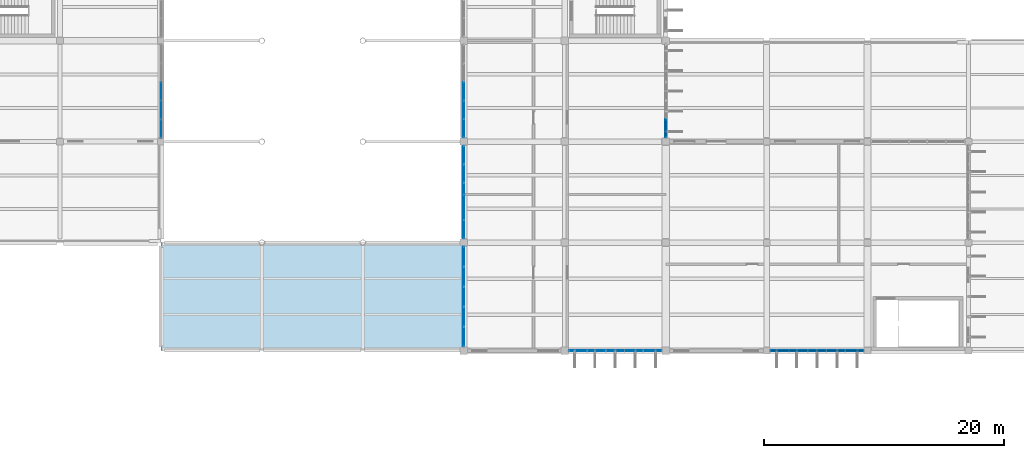
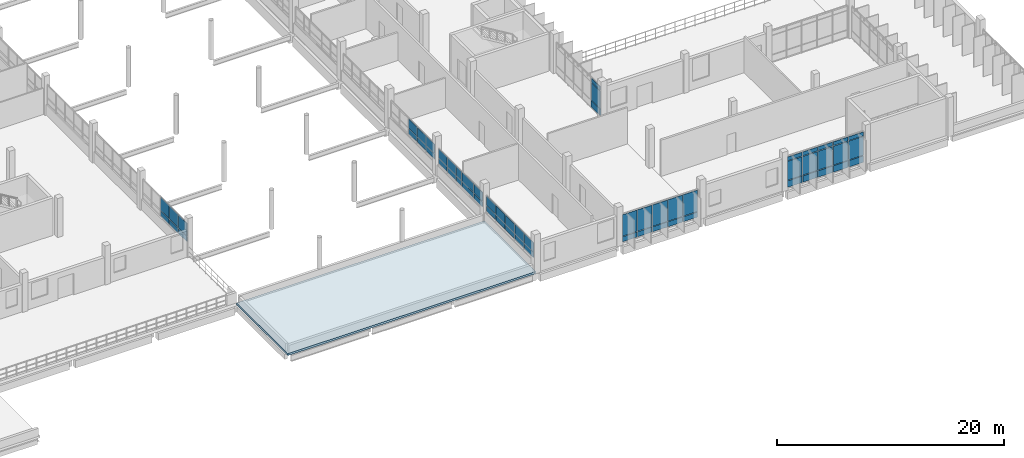
# One storey, part 96 of 130: 60 plates, 1 slab, 7 elements without a shape of their own.
"""IFC4 building model written with IfcOpenShell, lengths in metres."""

from ifc_helpers import new_model, si_unit, direction, frame, origin, origin_2d, place, context, subcontext, project, spatial, polyline, rectangle, outline, extrude, material, layer, layer_set, type_object, element, aggregate, save


model = new_model("IFC4")

# Units and contexts
model_context = context("Model", 3, precision=1e-05, world=origin(), true_north=direction((0.0, 1.0)))
body_context = subcontext(model_context, "Body", "Model", "MODEL_VIEW")
ifc_project = project(units=[si_unit("LENGTHUNIT", "METRE"), si_unit("AREAUNIT", "SQUARE_METRE"), si_unit("VOLUMEUNIT", "CUBIC_METRE"), si_unit("PLANEANGLEUNIT", "RADIAN"), si_unit("MASSUNIT", "GRAM", prefix="KILO")], contexts=[model_context])

# Site, building, storey
site_placement = place(None, origin())
site = spatial("IfcSite", under=ifc_project, at=site_placement, CompositionType="ELEMENT")
building_placement = place(site_placement, origin())
building = spatial("IfcBuilding", under=site, at=building_placement, Name="Vireocrest Preparatory School", CompositionType="ELEMENT")
storey_placement = place(building_placement, frame((0.0, 0.0, 9.0)))
storey = spatial("IfcBuildingStorey", under=building, at=storey_placement, Name="L02", CompositionType="ELEMENT", Elevation=9.0)

# Curtain wall, plates
ifc_material_1 = material(Name="Thermally broken aluminium EN AW-6063-T6", Category="aluminium")
ifc_layer_1 = layer(ifc_material_1, 0.179931640625)
ifc_layer_set_1 = layer_set([ifc_layer_1], Name="Thermally broken aluminium EN AW-6063-T6")
curtain_wall_type_1 = type_object("IfcCurtainWallType", Name="Teaching Fin Curtain Wall 8400x4200", PredefinedType="USERDEFINED", material=ifc_layer_set_1)
curtain_wall_1_placement = place(storey_placement, origin())
curtain_wall_1 = element("IfcCurtainWall", 1, at=curtain_wall_1_placement, inside=storey, type_object=curtain_wall_type_1, Name="Curtain Wall CW03 CW_L02_CW03_1092_0357_090", ObjectType="CURTAIN WALL", PredefinedType="USERDEFINED")
ifc_material_2 = material(Name="Insulated triple low-e tempered safety glass", Category="glass")
ifc_layer_2 = layer(ifc_material_2, 0.074951171875)
ifc_layer_set_2 = layer_set([ifc_layer_2], Name="Insulated triple low-e tempered safety glass")
plate_type_1 = type_object("IfcPlateType", Name="Acoustic Triple-Glazed Lab Curtain Panel 75", PredefinedType="CURTAIN_PANEL", material=ifc_layer_set_2)
plate_1_placement = place(storey_placement, frame((109.199951171875, 36.508056640625, 0.882568359375), z_axis=(0.0, 0.0, 1.0), x_axis=(0.0, 1.0, 0.0)))
plate_1 = element("IfcPlate", 2, at=plate_1_placement, type_object=plate_type_1, Name="CW Panel GL2 CW_L02_CW03_1092_0357_090-1-2", PredefinedType="CURTAIN_PANEL", context=body_context, shape_type="SweptSolid", body=[
    extrude(rectangle(XDim=1.48095703125, YDim=0.074951171875, at=origin_2d()), origin(), (0.0, 0.0, 1.0), 1.875),
])
plate_2_placement = place(storey_placement, frame((109.199951171875, 36.508056640625, 2.82275390625), z_axis=(0.0, 0.0, 1.0), x_axis=(0.0, 1.0, 0.0)))
plate_2 = element("IfcPlate", 3, at=plate_2_placement, type_object=plate_type_1, Name="CW Panel GL2 CW_L02_CW03_1092_0357_090-1-3", PredefinedType="CURTAIN_PANEL", context=body_context, shape_type="SweptSolid", body=[
    extrude(rectangle(XDim=1.48095703125, YDim=0.074951171875, at=origin_2d()), origin(), (0.0, 0.0, 1.0), 0.409912109375),
])

ifc_layer_3 = layer(ifc_material_1, 0.179931640625)
ifc_layer_set_3 = layer_set([ifc_layer_3], Name="Thermally broken aluminium EN AW-6063-T6")
curtain_wall_type_2 = type_object("IfcCurtainWallType", Name="Side Banded Curtain Wall 9000x3200", PredefinedType="USERDEFINED", material=ifc_layer_set_3)
curtain_wall_2_placement = place(storey_placement, origin())
curtain_wall_2 = element("IfcCurtainWall", 4, at=curtain_wall_2_placement, inside=storey, type_object=curtain_wall_type_2, Name="Curtain Wall CW09 CW_L02_CW09_1011_0180_090", ObjectType="CURTAIN WALL", PredefinedType="USERDEFINED")
plate_3_placement = place(storey_placement, frame((101.907958984375, 18.0, 0.12744140625), z_axis=(0.0, 0.0, 1.0), x_axis=(1.0, 0.0, 0.0)))
plate_3 = element("IfcPlate", 5, at=plate_3_placement, type_object=plate_type_1, Name="CW Panel GL2 CW_L02_CW09_1011_0180_090-1-1", PredefinedType="CURTAIN_PANEL", context=body_context, shape_type="SweptSolid", body=[
    extrude(rectangle(XDim=1.48095703125, YDim=0.074951171875, at=origin_2d()), origin(), (0.0, 0.0, 1.0), 0.5400390625),
])
plate_4_placement = place(storey_placement, frame((101.907958984375, 18.0, 0.732421875), z_axis=(0.0, 0.0, 1.0), x_axis=(1.0, 0.0, 0.0)))
plate_4 = element("IfcPlate", 6, at=plate_4_placement, type_object=plate_type_1, Name="CW Panel GL2 CW_L02_CW09_1011_0180_090-1-2", PredefinedType="CURTAIN_PANEL", context=body_context, shape_type="SweptSolid", body=[
    extrude(rectangle(XDim=1.48095703125, YDim=0.074951171875, at=origin_2d()), origin(), (0.0, 0.0, 1.0), 2.2900390625),
])
plate_5_placement = place(storey_placement, frame((103.4541015625, 18.0, 0.12744140625), z_axis=(0.0, 0.0, 1.0), x_axis=(1.0, 0.0, 0.0)))
plate_5 = element("IfcPlate", 7, at=plate_5_placement, type_object=plate_type_1, Name="CW Panel GL2 CW_L02_CW09_1011_0180_090-2-1", PredefinedType="CURTAIN_PANEL", context=body_context, shape_type="SweptSolid", body=[
    extrude(rectangle(XDim=1.48095703125, YDim=0.074951171875, at=origin_2d()), origin(), (0.0, 0.0, 1.0), 0.5400390625),
])
plate_6_placement = place(storey_placement, frame((103.4541015625, 18.0, 0.732421875), z_axis=(0.0, 0.0, 1.0), x_axis=(1.0, 0.0, 0.0)))
plate_6 = element("IfcPlate", 8, at=plate_6_placement, type_object=plate_type_1, Name="CW Panel GL2 CW_L02_CW09_1011_0180_090-2-2", PredefinedType="CURTAIN_PANEL", context=body_context, shape_type="SweptSolid", body=[
    extrude(rectangle(XDim=1.48095703125, YDim=0.074951171875, at=origin_2d()), origin(), (0.0, 0.0, 1.0), 2.2900390625),
])
plate_7_placement = place(storey_placement, frame((105.0, 18.0, 0.12744140625), z_axis=(0.0, 0.0, 1.0), x_axis=(1.0, 0.0, 0.0)))
plate_7 = element("IfcPlate", 9, at=plate_7_placement, type_object=plate_type_1, Name="CW Panel GL2 CW_L02_CW09_1011_0180_090-3-1", PredefinedType="CURTAIN_PANEL", context=body_context, shape_type="SweptSolid", body=[
    extrude(rectangle(XDim=1.48095703125, YDim=0.074951171875, at=origin_2d()), origin(), (0.0, 0.0, 1.0), 0.5400390625),
])
plate_8_placement = place(storey_placement, frame((105.0, 18.0, 0.732421875), z_axis=(0.0, 0.0, 1.0), x_axis=(1.0, 0.0, 0.0)))
plate_8 = element("IfcPlate", 10, at=plate_8_placement, type_object=plate_type_1, Name="CW Panel GL2 CW_L02_CW09_1011_0180_090-3-2", PredefinedType="CURTAIN_PANEL", context=body_context, shape_type="SweptSolid", body=[
    extrude(rectangle(XDim=1.48095703125, YDim=0.074951171875, at=origin_2d()), origin(), (0.0, 0.0, 1.0), 2.2900390625),
])
plate_9_placement = place(storey_placement, frame((106.5458984375, 18.0, 0.12744140625), z_axis=(0.0, 0.0, 1.0), x_axis=(1.0, 0.0, 0.0)))
plate_9 = element("IfcPlate", 11, at=plate_9_placement, type_object=plate_type_1, Name="CW Panel GL2 CW_L02_CW09_1011_0180_090-4-1", PredefinedType="CURTAIN_PANEL", context=body_context, shape_type="SweptSolid", body=[
    extrude(rectangle(XDim=1.48095703125, YDim=0.074951171875, at=origin_2d()), origin(), (0.0, 0.0, 1.0), 0.5400390625),
])
plate_10_placement = place(storey_placement, frame((106.5458984375, 18.0, 0.732421875), z_axis=(0.0, 0.0, 1.0), x_axis=(1.0, 0.0, 0.0)))
plate_10 = element("IfcPlate", 12, at=plate_10_placement, type_object=plate_type_1, Name="CW Panel GL2 CW_L02_CW09_1011_0180_090-4-2", PredefinedType="CURTAIN_PANEL", context=body_context, shape_type="SweptSolid", body=[
    extrude(rectangle(XDim=1.48095703125, YDim=0.074951171875, at=origin_2d()), origin(), (0.0, 0.0, 1.0), 2.2900390625),
])
plate_11_placement = place(storey_placement, frame((108.092041015625, 18.0, 0.12744140625), z_axis=(0.0, 0.0, 1.0), x_axis=(1.0, 0.0, 0.0)))
plate_11 = element("IfcPlate", 13, at=plate_11_placement, type_object=plate_type_1, Name="CW Panel GL2 CW_L02_CW09_1011_0180_090-5-1", PredefinedType="CURTAIN_PANEL", context=body_context, shape_type="SweptSolid", body=[
    extrude(rectangle(XDim=1.48095703125, YDim=0.074951171875, at=origin_2d()), origin(), (0.0, 0.0, 1.0), 0.5400390625),
])
plate_12_placement = place(storey_placement, frame((108.092041015625, 18.0, 0.732421875), z_axis=(0.0, 0.0, 1.0), x_axis=(1.0, 0.0, 0.0)))
plate_12 = element("IfcPlate", 14, at=plate_12_placement, type_object=plate_type_1, Name="CW Panel GL2 CW_L02_CW09_1011_0180_090-5-2", PredefinedType="CURTAIN_PANEL", context=body_context, shape_type="SweptSolid", body=[
    extrude(rectangle(XDim=1.48095703125, YDim=0.074951171875, at=origin_2d()), origin(), (0.0, 0.0, 1.0), 2.2900390625),
])
aggregate(curtain_wall_2, [plate_3, plate_4, plate_5, plate_6, plate_7, plate_8, plate_9, plate_10, plate_11, plate_12])

ifc_layer_4 = layer(ifc_material_1, 0.179931640625)
ifc_layer_set_4 = layer_set([ifc_layer_4], Name="Thermally broken aluminium EN AW-6063-T6")
curtain_wall_type_3 = type_object("IfcCurtainWallType", Name="Botanical Lab Glazing 8400x3400", PredefinedType="USERDEFINED", material=ifc_layer_set_4)
curtain_wall_3_placement = place(storey_placement, origin())
curtain_wall_3 = element("IfcCurtainWall", 15, at=curtain_wall_3_placement, inside=storey, type_object=curtain_wall_type_3, Name="Curtain Wall CW15 CW_L02_CW15_1178_0180_090", ObjectType="CURTAIN WALL", PredefinedType="USERDEFINED")
plate_13_placement = place(storey_placement, frame((118.68798828125, 18.0, 0.88232421875), z_axis=(0.0, 0.0, 1.0), x_axis=(1.0, 0.0, 0.0)))
plate_13 = element("IfcPlate", 16, at=plate_13_placement, type_object=plate_type_1, Name="CW Panel GL2 CW_L02_CW15_1178_0180_090-1-2", PredefinedType="CURTAIN_PANEL", context=body_context, shape_type="SweptSolid", body=[
    extrude(rectangle(XDim=1.490966796875, YDim=0.074951171875, at=origin_2d()), origin(), (0.0, 0.0, 1.0), 2.014892578125),
])
plate_14_placement = place(storey_placement, frame((118.68798828125, 18.0, 2.96240234375), z_axis=(0.0, 0.0, 1.0), x_axis=(1.0, 0.0, 0.0)))
plate_14 = element("IfcPlate", 17, at=plate_14_placement, type_object=plate_type_1, Name="CW Panel GL2 CW_L02_CW15_1178_0180_090-1-3", PredefinedType="CURTAIN_PANEL", context=body_context, shape_type="SweptSolid", body=[
    extrude(rectangle(XDim=1.490966796875, YDim=0.074951171875, at=origin_2d()), origin(), (0.0, 0.0, 1.0), 0.409912109375),
])
plate_15_placement = place(storey_placement, frame((120.243896484375, 18.0, 0.88232421875), z_axis=(0.0, 0.0, 1.0), x_axis=(1.0, 0.0, 0.0)))
plate_15 = element("IfcPlate", 18, at=plate_15_placement, type_object=plate_type_1, Name="CW Panel GL2 CW_L02_CW15_1178_0180_090-2-2", PredefinedType="CURTAIN_PANEL", context=body_context, shape_type="SweptSolid", body=[
    extrude(rectangle(XDim=1.490966796875, YDim=0.074951171875, at=origin_2d()), origin(), (0.0, 0.0, 1.0), 2.014892578125),
])
plate_16_placement = place(storey_placement, frame((120.243896484375, 18.0, 2.96240234375), z_axis=(0.0, 0.0, 1.0), x_axis=(1.0, 0.0, 0.0)))
plate_16 = element("IfcPlate", 19, at=plate_16_placement, type_object=plate_type_1, Name="CW Panel GL2 CW_L02_CW15_1178_0180_090-2-3", PredefinedType="CURTAIN_PANEL", context=body_context, shape_type="SweptSolid", body=[
    extrude(rectangle(XDim=1.490966796875, YDim=0.074951171875, at=origin_2d()), origin(), (0.0, 0.0, 1.0), 0.409912109375),
])
plate_17_placement = place(storey_placement, frame((121.800048828125, 18.0, 0.88232421875), z_axis=(0.0, 0.0, 1.0), x_axis=(1.0, 0.0, 0.0)))
plate_17 = element("IfcPlate", 20, at=plate_17_placement, type_object=plate_type_1, Name="CW Panel GL2 CW_L02_CW15_1178_0180_090-3-2", PredefinedType="CURTAIN_PANEL", context=body_context, shape_type="SweptSolid", body=[
    extrude(rectangle(XDim=1.490966796875, YDim=0.074951171875, at=origin_2d()), origin(), (0.0, 0.0, 1.0), 2.014892578125),
])
plate_18_placement = place(storey_placement, frame((121.800048828125, 18.0, 2.96240234375), z_axis=(0.0, 0.0, 1.0), x_axis=(1.0, 0.0, 0.0)))
plate_18 = element("IfcPlate", 21, at=plate_18_placement, type_object=plate_type_1, Name="CW Panel GL2 CW_L02_CW15_1178_0180_090-3-3", PredefinedType="CURTAIN_PANEL", context=body_context, shape_type="SweptSolid", body=[
    extrude(rectangle(XDim=1.490966796875, YDim=0.074951171875, at=origin_2d()), origin(), (0.0, 0.0, 1.0), 0.409912109375),
])
plate_19_placement = place(storey_placement, frame((123.35595703125, 18.0, 0.88232421875), z_axis=(0.0, 0.0, 1.0), x_axis=(1.0, 0.0, 0.0)))
plate_19 = element("IfcPlate", 22, at=plate_19_placement, type_object=plate_type_1, Name="CW Panel GL2 CW_L02_CW15_1178_0180_090-4-2", PredefinedType="CURTAIN_PANEL", context=body_context, shape_type="SweptSolid", body=[
    extrude(rectangle(XDim=1.490966796875, YDim=0.074951171875, at=origin_2d()), origin(), (0.0, 0.0, 1.0), 2.014892578125),
])
plate_20_placement = place(storey_placement, frame((123.35595703125, 18.0, 2.96240234375), z_axis=(0.0, 0.0, 1.0), x_axis=(1.0, 0.0, 0.0)))
plate_20 = element("IfcPlate", 23, at=plate_20_placement, type_object=plate_type_1, Name="CW Panel GL2 CW_L02_CW15_1178_0180_090-4-3", PredefinedType="CURTAIN_PANEL", context=body_context, shape_type="SweptSolid", body=[
    extrude(rectangle(XDim=1.490966796875, YDim=0.074951171875, at=origin_2d()), origin(), (0.0, 0.0, 1.0), 0.409912109375),
])
plate_21_placement = place(storey_placement, frame((124.912109375, 18.0, 0.88232421875), z_axis=(0.0, 0.0, 1.0), x_axis=(1.0, 0.0, 0.0)))
plate_21 = element("IfcPlate", 24, at=plate_21_placement, type_object=plate_type_1, Name="CW Panel GL2 CW_L02_CW15_1178_0180_090-5-2", PredefinedType="CURTAIN_PANEL", context=body_context, shape_type="SweptSolid", body=[
    extrude(rectangle(XDim=1.490966796875, YDim=0.074951171875, at=origin_2d()), origin(), (0.0, 0.0, 1.0), 2.014892578125),
])
plate_22_placement = place(storey_placement, frame((124.912109375, 18.0, 2.96240234375), z_axis=(0.0, 0.0, 1.0), x_axis=(1.0, 0.0, 0.0)))
plate_22 = element("IfcPlate", 25, at=plate_22_placement, type_object=plate_type_1, Name="CW Panel GL2 CW_L02_CW15_1178_0180_090-5-3", PredefinedType="CURTAIN_PANEL", context=body_context, shape_type="SweptSolid", body=[
    extrude(rectangle(XDim=1.490966796875, YDim=0.074951171875, at=origin_2d()), origin(), (0.0, 0.0, 1.0), 0.409912109375),
])

# Slab
ifc_material_3 = material(Name="Concrete 40 MPa", Category="concrete")
ifc_layer_5 = layer(ifc_material_3, 0.219970703125)
ifc_layer_set_5 = layer_set([ifc_layer_5], Name="Concrete 40 MPa")
slab_type = type_object("IfcSlabType", Name="Insulated Flat Concrete Roof Slab 220", PredefinedType="ROOF", material=ifc_layer_set_5)
slab_placement = place(storey_placement, frame((0.0, 0.0, -0.219970703125)))
element("IfcSlab", 26, at=slab_placement, inside=storey, type_object=slab_type, Name="Slab L02_SOUTH_BRIDGE_ROOF", PredefinedType="ROOF", context=body_context, shape_type="SweptSolid", body=[
    extrude(outline(polyline([(67.199951171875, 18.0), (92.39990234375, 18.0), (92.39990234375, 27.0), (67.199951171875, 27.0), (67.199951171875, 18.0)])), origin(), (0.0, 0.0, 1.0), 0.219970703125),
])

# Plate
ifc_material_4 = material(Name="Painted white aluminium cladding EN AW-6063-T6", Category="aluminium")
ifc_layer_6 = layer(ifc_material_4, 0.114990234375)
ifc_layer_set_6 = layer_set([ifc_layer_6], Name="Painted white aluminium cladding EN AW-6063-T6")
plate_type_2 = type_object("IfcPlateType", Name="Insulated White Spandrel Curtain Panel 115", PredefinedType="CURTAIN_PANEL", material=ifc_layer_set_6)
plate_23_placement = place(storey_placement, frame((109.199951171875, 36.508056640625, 0.12744140625), z_axis=(0.0, 0.0, 1.0), x_axis=(0.0, 1.0, 0.0)))
plate_23 = element("IfcPlate", 27, at=plate_23_placement, type_object=plate_type_2, Name="CW Panel SP2 CW_L02_CW03_1092_0357_090-1-1", PredefinedType="CURTAIN_PANEL", context=body_context, shape_type="SweptSolid", body=[
    extrude(rectangle(XDim=1.48095703125, YDim=0.114990234375, at=origin_2d()), origin(), (0.0, 0.0, 1.0), 0.68994140625),
])

aggregate(curtain_wall_1, [plate_23, plate_1, plate_2])

plate_24_placement = place(storey_placement, frame((118.68798828125, 18.0, 0.12744140625), z_axis=(0.0, 0.0, 1.0), x_axis=(1.0, 0.0, 0.0)))
plate_24 = element("IfcPlate", 28, at=plate_24_placement, type_object=plate_type_2, Name="CW Panel SP2 CW_L02_CW15_1178_0180_090-1-1", PredefinedType="CURTAIN_PANEL", context=body_context, shape_type="SweptSolid", body=[
    extrude(rectangle(XDim=1.490966796875, YDim=0.114990234375, at=origin_2d()), origin(), (0.0, 0.0, 1.0), 0.68994140625),
])

plate_25_placement = place(storey_placement, frame((120.243896484375, 18.0, 0.12744140625), z_axis=(0.0, 0.0, 1.0), x_axis=(1.0, 0.0, 0.0)))
plate_25 = element("IfcPlate", 29, at=plate_25_placement, type_object=plate_type_2, Name="CW Panel SP2 CW_L02_CW15_1178_0180_090-2-1", PredefinedType="CURTAIN_PANEL", context=body_context, shape_type="SweptSolid", body=[
    extrude(rectangle(XDim=1.490966796875, YDim=0.114990234375, at=origin_2d()), origin(), (0.0, 0.0, 1.0), 0.68994140625),
])

plate_26_placement = place(storey_placement, frame((121.800048828125, 18.0, 0.12744140625), z_axis=(0.0, 0.0, 1.0), x_axis=(1.0, 0.0, 0.0)))
plate_26 = element("IfcPlate", 30, at=plate_26_placement, type_object=plate_type_2, Name="CW Panel SP2 CW_L02_CW15_1178_0180_090-3-1", PredefinedType="CURTAIN_PANEL", context=body_context, shape_type="SweptSolid", body=[
    extrude(rectangle(XDim=1.490966796875, YDim=0.114990234375, at=origin_2d()), origin(), (0.0, 0.0, 1.0), 0.68994140625),
])

plate_27_placement = place(storey_placement, frame((123.35595703125, 18.0, 0.12744140625), z_axis=(0.0, 0.0, 1.0), x_axis=(1.0, 0.0, 0.0)))
plate_27 = element("IfcPlate", 31, at=plate_27_placement, type_object=plate_type_2, Name="CW Panel SP2 CW_L02_CW15_1178_0180_090-4-1", PredefinedType="CURTAIN_PANEL", context=body_context, shape_type="SweptSolid", body=[
    extrude(rectangle(XDim=1.490966796875, YDim=0.114990234375, at=origin_2d()), origin(), (0.0, 0.0, 1.0), 0.68994140625),
])

plate_28_placement = place(storey_placement, frame((124.912109375, 18.0, 0.12744140625), z_axis=(0.0, 0.0, 1.0), x_axis=(1.0, 0.0, 0.0)))
plate_28 = element("IfcPlate", 32, at=plate_28_placement, type_object=plate_type_2, Name="CW Panel SP2 CW_L02_CW15_1178_0180_090-5-1", PredefinedType="CURTAIN_PANEL", context=body_context, shape_type="SweptSolid", body=[
    extrude(rectangle(XDim=1.490966796875, YDim=0.114990234375, at=origin_2d()), origin(), (0.0, 0.0, 1.0), 0.68994140625),
])

aggregate(curtain_wall_3, [plate_24, plate_13, plate_14, plate_25, plate_15, plate_16, plate_26, plate_17, plate_18, plate_27, plate_19, plate_20, plate_28, plate_21, plate_22])

# Curtain wall, plates
ifc_layer_7 = layer(ifc_material_1, 0.179931640625)
ifc_layer_set_7 = layer_set([ifc_layer_7], Name="Thermally broken aluminium EN AW-6063-T6")
curtain_wall_type_4 = type_object("IfcCurtainWallType", Name="Court Banded Curtain Wall 8400x3000", PredefinedType="USERDEFINED", material=ifc_layer_set_7)
curtain_wall_4_placement = place(storey_placement, origin())
curtain_wall_4 = element("IfcCurtainWall", 33, at=curtain_wall_4_placement, inside=storey, type_object=curtain_wall_type_4, Name="Curtain Wall CW02 CW_L02_CW02_0924_0183_102", ObjectType="CURTAIN WALL", PredefinedType="USERDEFINED")
ifc_layer_8 = layer(ifc_material_2, 0.06005859375)
ifc_layer_set_8 = layer_set([ifc_layer_8], Name="Insulated triple low-e tempered safety glass")
plate_type_3 = type_object("IfcPlateType", Name="Triple-Glazed Vision Curtain Panel 60", PredefinedType="CURTAIN_PANEL", material=ifc_layer_set_8)
plate_29_placement = place(storey_placement, frame((92.39990234375, 19.16796875, 1.277587890625), z_axis=(0.0, 0.0, 1.0), x_axis=(0.0, 1.0, 0.0)))
plate_29 = element("IfcPlate", 34, at=plate_29_placement, type_object=plate_type_3, Name="CW Panel GL1 CW_L02_CW02_0924_0183_102-1-1", PredefinedType="CURTAIN_PANEL", context=body_context, shape_type="SweptSolid", body=[
    extrude(rectangle(XDim=1.60107421875, YDim=0.06005859375, at=origin_2d()), origin(), (0.0, 0.0, 1.0), 0.5400390625),
])
plate_30_placement = place(storey_placement, frame((92.39990234375, 19.16796875, 1.88232421875), z_axis=(0.0, 0.0, 1.0), x_axis=(0.0, 1.0, 0.0)))
plate_30 = element("IfcPlate", 35, at=plate_30_placement, type_object=plate_type_3, Name="CW Panel GL1 CW_L02_CW02_0924_0183_102-1-2", PredefinedType="CURTAIN_PANEL", context=body_context, shape_type="SweptSolid", body=[
    extrude(rectangle(XDim=1.60107421875, YDim=0.06005859375, at=origin_2d()), origin(), (0.0, 0.0, 1.0), 0.989990234375),
])
plate_31_placement = place(storey_placement, frame((92.39990234375, 20.833984375, 1.277587890625), z_axis=(0.0, 0.0, 1.0), x_axis=(0.0, 1.0, 0.0)))
plate_31 = element("IfcPlate", 36, at=plate_31_placement, type_object=plate_type_3, Name="CW Panel GL1 CW_L02_CW02_0924_0183_102-2-1", PredefinedType="CURTAIN_PANEL", context=body_context, shape_type="SweptSolid", body=[
    extrude(rectangle(XDim=1.60107421875, YDim=0.06005859375, at=origin_2d()), origin(), (0.0, 0.0, 1.0), 0.5400390625),
])
plate_32_placement = place(storey_placement, frame((92.39990234375, 20.833984375, 1.88232421875), z_axis=(0.0, 0.0, 1.0), x_axis=(0.0, 1.0, 0.0)))
plate_32 = element("IfcPlate", 37, at=plate_32_placement, type_object=plate_type_3, Name="CW Panel GL1 CW_L02_CW02_0924_0183_102-2-2", PredefinedType="CURTAIN_PANEL", context=body_context, shape_type="SweptSolid", body=[
    extrude(rectangle(XDim=1.60107421875, YDim=0.06005859375, at=origin_2d()), origin(), (0.0, 0.0, 1.0), 0.989990234375),
])
plate_33_placement = place(storey_placement, frame((92.39990234375, 22.5, 1.277587890625), z_axis=(0.0, 0.0, 1.0), x_axis=(0.0, 1.0, 0.0)))
plate_33 = element("IfcPlate", 38, at=plate_33_placement, type_object=plate_type_3, Name="CW Panel GL1 CW_L02_CW02_0924_0183_102-3-1", PredefinedType="CURTAIN_PANEL", context=body_context, shape_type="SweptSolid", body=[
    extrude(rectangle(XDim=1.60107421875, YDim=0.06005859375, at=origin_2d()), origin(), (0.0, 0.0, 1.0), 0.5400390625),
])
plate_34_placement = place(storey_placement, frame((92.39990234375, 22.5, 1.88232421875), z_axis=(0.0, 0.0, 1.0), x_axis=(0.0, 1.0, 0.0)))
plate_34 = element("IfcPlate", 39, at=plate_34_placement, type_object=plate_type_3, Name="CW Panel GL1 CW_L02_CW02_0924_0183_102-3-2", PredefinedType="CURTAIN_PANEL", context=body_context, shape_type="SweptSolid", body=[
    extrude(rectangle(XDim=1.60107421875, YDim=0.06005859375, at=origin_2d()), origin(), (0.0, 0.0, 1.0), 0.989990234375),
])
plate_35_placement = place(storey_placement, frame((92.39990234375, 24.166015625, 1.277587890625), z_axis=(0.0, 0.0, 1.0), x_axis=(0.0, 1.0, 0.0)))
plate_35 = element("IfcPlate", 40, at=plate_35_placement, type_object=plate_type_3, Name="CW Panel GL1 CW_L02_CW02_0924_0183_102-4-1", PredefinedType="CURTAIN_PANEL", context=body_context, shape_type="SweptSolid", body=[
    extrude(rectangle(XDim=1.60107421875, YDim=0.06005859375, at=origin_2d()), origin(), (0.0, 0.0, 1.0), 0.5400390625),
])
plate_36_placement = place(storey_placement, frame((92.39990234375, 24.166015625, 1.88232421875), z_axis=(0.0, 0.0, 1.0), x_axis=(0.0, 1.0, 0.0)))
plate_36 = element("IfcPlate", 41, at=plate_36_placement, type_object=plate_type_3, Name="CW Panel GL1 CW_L02_CW02_0924_0183_102-4-2", PredefinedType="CURTAIN_PANEL", context=body_context, shape_type="SweptSolid", body=[
    extrude(rectangle(XDim=1.60107421875, YDim=0.06005859375, at=origin_2d()), origin(), (0.0, 0.0, 1.0), 0.989990234375),
])
plate_37_placement = place(storey_placement, frame((92.39990234375, 25.83203125, 1.277587890625), z_axis=(0.0, 0.0, 1.0), x_axis=(0.0, 1.0, 0.0)))
plate_37 = element("IfcPlate", 42, at=plate_37_placement, type_object=plate_type_3, Name="CW Panel GL1 CW_L02_CW02_0924_0183_102-5-1", PredefinedType="CURTAIN_PANEL", context=body_context, shape_type="SweptSolid", body=[
    extrude(rectangle(XDim=1.60107421875, YDim=0.06005859375, at=origin_2d()), origin(), (0.0, 0.0, 1.0), 0.5400390625),
])
plate_38_placement = place(storey_placement, frame((92.39990234375, 25.83203125, 1.88232421875), z_axis=(0.0, 0.0, 1.0), x_axis=(0.0, 1.0, 0.0)))
plate_38 = element("IfcPlate", 43, at=plate_38_placement, type_object=plate_type_3, Name="CW Panel GL1 CW_L02_CW02_0924_0183_102-5-2", PredefinedType="CURTAIN_PANEL", context=body_context, shape_type="SweptSolid", body=[
    extrude(rectangle(XDim=1.60107421875, YDim=0.06005859375, at=origin_2d()), origin(), (0.0, 0.0, 1.0), 0.989990234375),
])
aggregate(curtain_wall_4, [plate_29, plate_30, plate_31, plate_32, plate_33, plate_34, plate_35, plate_36, plate_37, plate_38])

curtain_wall_5_placement = place(storey_placement, origin())
curtain_wall_5 = element("IfcCurtainWall", 44, at=curtain_wall_5_placement, inside=storey, type_object=curtain_wall_type_4, Name="Curtain Wall CW02 CW_L02_CW02_0924_0273_102", ObjectType="CURTAIN WALL", PredefinedType="USERDEFINED")
plate_39_placement = place(storey_placement, frame((92.39990234375, 28.10791015625, 1.277587890625), z_axis=(0.0, 0.0, 1.0), x_axis=(0.0, 1.0, 0.0)))
plate_39 = element("IfcPlate", 45, at=plate_39_placement, type_object=plate_type_3, Name="CW Panel GL1 CW_L02_CW02_0924_0273_102-1-1", PredefinedType="CURTAIN_PANEL", context=body_context, shape_type="SweptSolid", body=[
    extrude(rectangle(XDim=1.48095703125, YDim=0.06005859375, at=origin_2d()), origin(), (0.0, 0.0, 1.0), 0.5400390625),
])
plate_40_placement = place(storey_placement, frame((92.39990234375, 28.10791015625, 1.882568359375), z_axis=(0.0, 0.0, 1.0), x_axis=(0.0, 1.0, 0.0)))
plate_40 = element("IfcPlate", 46, at=plate_40_placement, type_object=plate_type_3, Name="CW Panel GL1 CW_L02_CW02_0924_0273_102-1-2", PredefinedType="CURTAIN_PANEL", context=body_context, shape_type="SweptSolid", body=[
    extrude(rectangle(XDim=1.48095703125, YDim=0.06005859375, at=origin_2d()), origin(), (0.0, 0.0, 1.0), 0.93994140625),
])
plate_41_placement = place(storey_placement, frame((92.39990234375, 29.9404296875, 1.277587890625), z_axis=(0.0, 0.0, 1.0), x_axis=(0.0, 1.0, 0.0)))
plate_41 = element("IfcPlate", 47, at=plate_41_placement, type_object=plate_type_3, Name="CW Panel GL1 CW_L02_CW02_0924_0273_102-2-1", PredefinedType="CURTAIN_PANEL", context=body_context, shape_type="SweptSolid", body=[
    extrude(rectangle(XDim=2.053955078125, YDim=0.06005859375, at=origin_2d()), origin(), (0.0, 0.0, 1.0), 0.5400390625),
])
plate_42_placement = place(storey_placement, frame((92.39990234375, 29.9404296875, 1.882568359375), z_axis=(0.0, 0.0, 1.0), x_axis=(0.0, 1.0, 0.0)))
plate_42 = element("IfcPlate", 48, at=plate_42_placement, type_object=plate_type_3, Name="CW Panel GL1 CW_L02_CW02_0924_0273_102-2-2", PredefinedType="CURTAIN_PANEL", context=body_context, shape_type="SweptSolid", body=[
    extrude(rectangle(XDim=2.053955078125, YDim=0.06005859375, at=origin_2d()), origin(), (0.0, 0.0, 1.0), 0.93994140625),
])
plate_43_placement = place(storey_placement, frame((92.39990234375, 31.486572265625, 1.277587890625), z_axis=(0.0, 0.0, 1.0), x_axis=(0.0, 1.0, 0.0)))
plate_43 = element("IfcPlate", 49, at=plate_43_placement, type_object=plate_type_3, Name="CW Panel GL1 CW_L02_CW02_0924_0273_102-3-1", PredefinedType="CURTAIN_PANEL", context=body_context, shape_type="SweptSolid", body=[
    extrude(rectangle(XDim=0.907958984375, YDim=0.06005859375, at=origin_2d()), origin(), (0.0, 0.0, 1.0), 0.5400390625),
])
plate_44_placement = place(storey_placement, frame((92.39990234375, 31.486572265625, 1.882568359375), z_axis=(0.0, 0.0, 1.0), x_axis=(0.0, 1.0, 0.0)))
plate_44 = element("IfcPlate", 50, at=plate_44_placement, type_object=plate_type_3, Name="CW Panel GL1 CW_L02_CW02_0924_0273_102-3-2", PredefinedType="CURTAIN_PANEL", context=body_context, shape_type="SweptSolid", body=[
    extrude(rectangle(XDim=0.907958984375, YDim=0.06005859375, at=origin_2d()), origin(), (0.0, 0.0, 1.0), 0.93994140625),
])
plate_45_placement = place(storey_placement, frame((92.39990234375, 32.74609375, 1.277587890625), z_axis=(0.0, 0.0, 1.0), x_axis=(0.0, 1.0, 0.0)))
plate_45 = element("IfcPlate", 51, at=plate_45_placement, type_object=plate_type_3, Name="CW Panel GL1 CW_L02_CW02_0924_0273_102-4-1", PredefinedType="CURTAIN_PANEL", context=body_context, shape_type="SweptSolid", body=[
    extrude(rectangle(XDim=1.48095703125, YDim=0.06005859375, at=origin_2d()), origin(), (0.0, 0.0, 1.0), 0.5400390625),
])
plate_46_placement = place(storey_placement, frame((92.39990234375, 32.74609375, 1.882568359375), z_axis=(0.0, 0.0, 1.0), x_axis=(0.0, 1.0, 0.0)))
plate_46 = element("IfcPlate", 52, at=plate_46_placement, type_object=plate_type_3, Name="CW Panel GL1 CW_L02_CW02_0924_0273_102-4-2", PredefinedType="CURTAIN_PANEL", context=body_context, shape_type="SweptSolid", body=[
    extrude(rectangle(XDim=1.48095703125, YDim=0.06005859375, at=origin_2d()), origin(), (0.0, 0.0, 1.0), 0.93994140625),
])
plate_47_placement = place(storey_placement, frame((92.39990234375, 34.2919921875, 1.277587890625), z_axis=(0.0, 0.0, 1.0), x_axis=(0.0, 1.0, 0.0)))
plate_47 = element("IfcPlate", 53, at=plate_47_placement, type_object=plate_type_3, Name="CW Panel GL1 CW_L02_CW02_0924_0273_102-5-1", PredefinedType="CURTAIN_PANEL", context=body_context, shape_type="SweptSolid", body=[
    extrude(rectangle(XDim=1.48095703125, YDim=0.06005859375, at=origin_2d()), origin(), (0.0, 0.0, 1.0), 0.5400390625),
])
plate_48_placement = place(storey_placement, frame((92.39990234375, 34.2919921875, 1.882568359375), z_axis=(0.0, 0.0, 1.0), x_axis=(0.0, 1.0, 0.0)))
plate_48 = element("IfcPlate", 54, at=plate_48_placement, type_object=plate_type_3, Name="CW Panel GL1 CW_L02_CW02_0924_0273_102-5-2", PredefinedType="CURTAIN_PANEL", context=body_context, shape_type="SweptSolid", body=[
    extrude(rectangle(XDim=1.48095703125, YDim=0.06005859375, at=origin_2d()), origin(), (0.0, 0.0, 1.0), 0.93994140625),
])
aggregate(curtain_wall_5, [plate_39, plate_40, plate_41, plate_42, plate_43, plate_44, plate_45, plate_46, plate_47, plate_48])

curtain_wall_6_placement = place(storey_placement, origin())
curtain_wall_6 = element("IfcCurtainWall", 55, at=curtain_wall_6_placement, inside=storey, type_object=curtain_wall_type_4, Name="Curtain Wall CW02 CW_L02_CW02_0924_0357_102", ObjectType="CURTAIN WALL", PredefinedType="USERDEFINED")
plate_49_placement = place(storey_placement, frame((92.39990234375, 36.508056640625, 1.277587890625), z_axis=(0.0, 0.0, 1.0), x_axis=(0.0, 1.0, 0.0)))
plate_49 = element("IfcPlate", 56, at=plate_49_placement, type_object=plate_type_3, Name="CW Panel GL1 CW_L02_CW02_0924_0357_102-1-1", PredefinedType="CURTAIN_PANEL", context=body_context, shape_type="SweptSolid", body=[
    extrude(rectangle(XDim=1.48095703125, YDim=0.06005859375, at=origin_2d()), origin(), (0.0, 0.0, 1.0), 0.5400390625),
])
plate_50_placement = place(storey_placement, frame((92.39990234375, 36.508056640625, 1.882568359375), z_axis=(0.0, 0.0, 1.0), x_axis=(0.0, 1.0, 0.0)))
plate_50 = element("IfcPlate", 57, at=plate_50_placement, type_object=plate_type_3, Name="CW Panel GL1 CW_L02_CW02_0924_0357_102-1-2", PredefinedType="CURTAIN_PANEL", context=body_context, shape_type="SweptSolid", body=[
    extrude(rectangle(XDim=1.48095703125, YDim=0.06005859375, at=origin_2d()), origin(), (0.0, 0.0, 1.0), 1.0),
])
plate_51_placement = place(storey_placement, frame((92.39990234375, 38.053955078125, 1.277587890625), z_axis=(0.0, 0.0, 1.0), x_axis=(0.0, 1.0, 0.0)))
plate_51 = element("IfcPlate", 58, at=plate_51_placement, type_object=plate_type_3, Name="CW Panel GL1 CW_L02_CW02_0924_0357_102-2-1", PredefinedType="CURTAIN_PANEL", context=body_context, shape_type="SweptSolid", body=[
    extrude(rectangle(XDim=1.48095703125, YDim=0.06005859375, at=origin_2d()), origin(), (0.0, 0.0, 1.0), 0.5400390625),
])
plate_52_placement = place(storey_placement, frame((92.39990234375, 38.053955078125, 1.882568359375), z_axis=(0.0, 0.0, 1.0), x_axis=(0.0, 1.0, 0.0)))
plate_52 = element("IfcPlate", 59, at=plate_52_placement, type_object=plate_type_3, Name="CW Panel GL1 CW_L02_CW02_0924_0357_102-2-2", PredefinedType="CURTAIN_PANEL", context=body_context, shape_type="SweptSolid", body=[
    extrude(rectangle(XDim=1.48095703125, YDim=0.06005859375, at=origin_2d()), origin(), (0.0, 0.0, 1.0), 1.0),
])
plate_53_placement = place(storey_placement, frame((92.39990234375, 39.60009765625, 1.277587890625), z_axis=(0.0, 0.0, 1.0), x_axis=(0.0, 1.0, 0.0)))
plate_53 = element("IfcPlate", 60, at=plate_53_placement, type_object=plate_type_3, Name="CW Panel GL1 CW_L02_CW02_0924_0357_102-3-1", PredefinedType="CURTAIN_PANEL", context=body_context, shape_type="SweptSolid", body=[
    extrude(rectangle(XDim=1.48095703125, YDim=0.06005859375, at=origin_2d()), origin(), (0.0, 0.0, 1.0), 0.5400390625),
])
plate_54_placement = place(storey_placement, frame((92.39990234375, 39.60009765625, 1.882568359375), z_axis=(0.0, 0.0, 1.0), x_axis=(0.0, 1.0, 0.0)))
plate_54 = element("IfcPlate", 61, at=plate_54_placement, type_object=plate_type_3, Name="CW Panel GL1 CW_L02_CW02_0924_0357_102-3-2", PredefinedType="CURTAIN_PANEL", context=body_context, shape_type="SweptSolid", body=[
    extrude(rectangle(XDim=1.48095703125, YDim=0.06005859375, at=origin_2d()), origin(), (0.0, 0.0, 1.0), 1.0),
])
aggregate(curtain_wall_6, [plate_49, plate_50, plate_51, plate_52, plate_53, plate_54])

curtain_wall_7_placement = place(storey_placement, origin())
curtain_wall_7 = element("IfcCurtainWall", 62, at=curtain_wall_7_placement, inside=storey, type_object=curtain_wall_type_4, Name="Curtain Wall CW02 CW_L02_CW02_0672_0356_102", ObjectType="CURTAIN WALL", PredefinedType="USERDEFINED")
plate_55_placement = place(storey_placement, frame((67.199951171875, 36.488037109375, 1.277587890625), z_axis=(0.0, 0.0, 1.0), x_axis=(0.0, 1.0, 0.0)))
plate_55 = element("IfcPlate", 63, at=plate_55_placement, type_object=plate_type_3, Name="CW Panel GL1 CW_L02_CW02_0672_0356_102-1-1", PredefinedType="CURTAIN_PANEL", context=body_context, shape_type="SweptSolid", body=[
    extrude(rectangle(XDim=1.490966796875, YDim=0.06005859375, at=origin_2d()), origin(), (0.0, 0.0, 1.0), 0.5400390625),
])
plate_56_placement = place(storey_placement, frame((67.199951171875, 36.488037109375, 1.88232421875), z_axis=(0.0, 0.0, 1.0), x_axis=(0.0, 1.0, 0.0)))
plate_56 = element("IfcPlate", 64, at=plate_56_placement, type_object=plate_type_3, Name="CW Panel GL1 CW_L02_CW02_0672_0356_102-1-2", PredefinedType="CURTAIN_PANEL", context=body_context, shape_type="SweptSolid", body=[
    extrude(rectangle(XDim=1.490966796875, YDim=0.06005859375, at=origin_2d()), origin(), (0.0, 0.0, 1.0), 1.3701171875),
])
plate_57_placement = place(storey_placement, frame((67.199951171875, 38.0439453125, 1.277587890625), z_axis=(0.0, 0.0, 1.0), x_axis=(0.0, 1.0, 0.0)))
plate_57 = element("IfcPlate", 65, at=plate_57_placement, type_object=plate_type_3, Name="CW Panel GL1 CW_L02_CW02_0672_0356_102-2-1", PredefinedType="CURTAIN_PANEL", context=body_context, shape_type="SweptSolid", body=[
    extrude(rectangle(XDim=1.490966796875, YDim=0.06005859375, at=origin_2d()), origin(), (0.0, 0.0, 1.0), 0.5400390625),
])
plate_58_placement = place(storey_placement, frame((67.199951171875, 38.0439453125, 1.88232421875), z_axis=(0.0, 0.0, 1.0), x_axis=(0.0, 1.0, 0.0)))
plate_58 = element("IfcPlate", 66, at=plate_58_placement, type_object=plate_type_3, Name="CW Panel GL1 CW_L02_CW02_0672_0356_102-2-2", PredefinedType="CURTAIN_PANEL", context=body_context, shape_type="SweptSolid", body=[
    extrude(rectangle(XDim=1.490966796875, YDim=0.06005859375, at=origin_2d()), origin(), (0.0, 0.0, 1.0), 1.3701171875),
])
plate_59_placement = place(storey_placement, frame((67.199951171875, 39.60009765625, 1.277587890625), z_axis=(0.0, 0.0, 1.0), x_axis=(0.0, 1.0, 0.0)))
plate_59 = element("IfcPlate", 67, at=plate_59_placement, type_object=plate_type_3, Name="CW Panel GL1 CW_L02_CW02_0672_0356_102-3-1", PredefinedType="CURTAIN_PANEL", context=body_context, shape_type="SweptSolid", body=[
    extrude(rectangle(XDim=1.490966796875, YDim=0.06005859375, at=origin_2d()), origin(), (0.0, 0.0, 1.0), 0.5400390625),
])
plate_60_placement = place(storey_placement, frame((67.199951171875, 39.60009765625, 1.88232421875), z_axis=(0.0, 0.0, 1.0), x_axis=(0.0, 1.0, 0.0)))
plate_60 = element("IfcPlate", 68, at=plate_60_placement, type_object=plate_type_3, Name="CW Panel GL1 CW_L02_CW02_0672_0356_102-3-2", PredefinedType="CURTAIN_PANEL", context=body_context, shape_type="SweptSolid", body=[
    extrude(rectangle(XDim=1.490966796875, YDim=0.06005859375, at=origin_2d()), origin(), (0.0, 0.0, 1.0), 1.3701171875),
])
aggregate(curtain_wall_7, [plate_55, plate_56, plate_57, plate_58, plate_59, plate_60])

save(model, "model.ifc")
